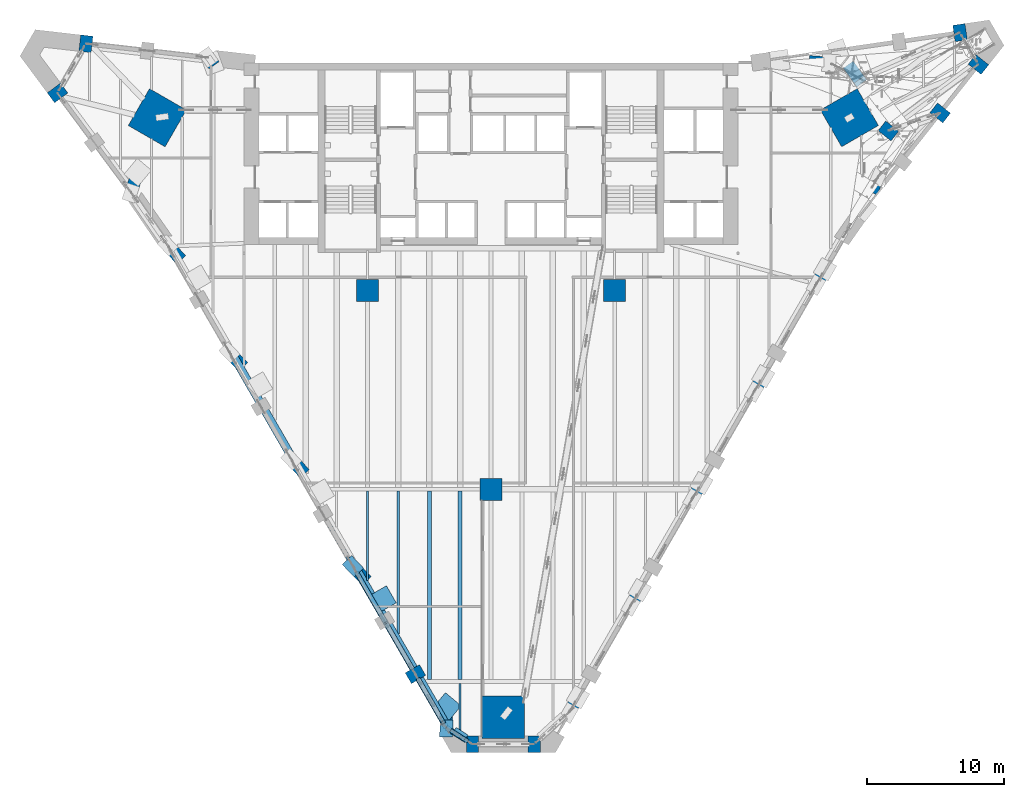
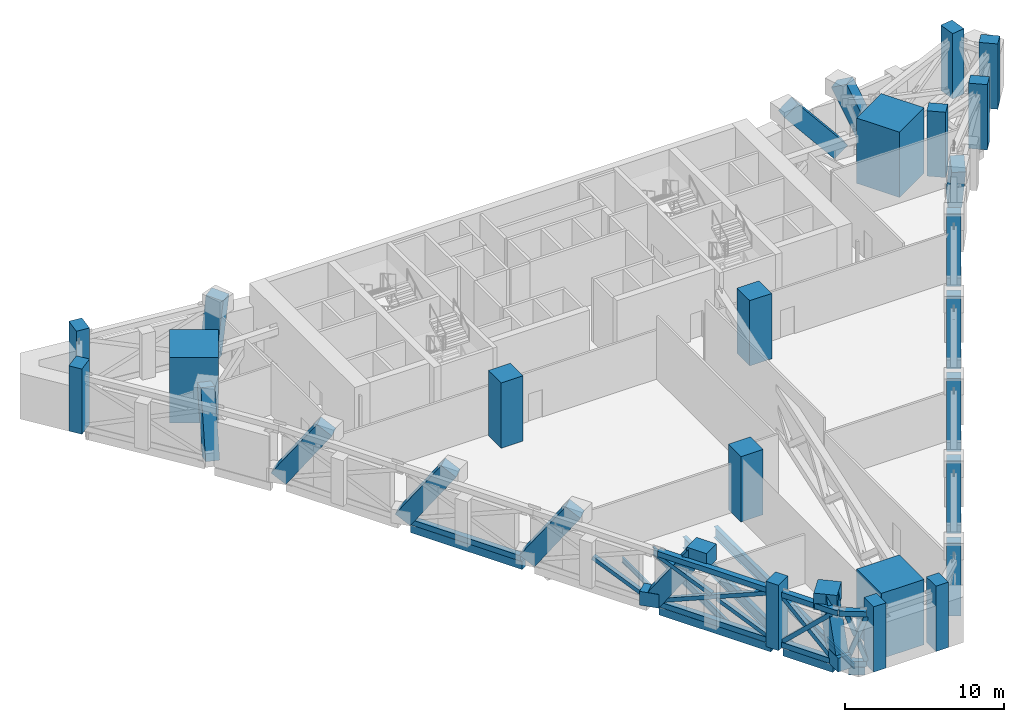
# One storey, part 1 of 22: 30 columns, 17 members, 13 beams.
"""IFC4 building model written with IfcOpenShell, lengths in metres."""

import ifcopenshell
import ifcopenshell.guid

model = None  # the IFC model being written
_history = None  # IfcOwnerHistory: only IFC2X3 demands one
_inside = {}  # id of a spatial element -> (the spatial element, [elements in it])
_under = {}  # id of a project, library or spatial element -> (it, [spatial elements below it])
_declared = {}  # id of a project -> (the project, [libraries it declares])
_typed = {}  # id of a type object -> (the type object, [elements of that type])
_made_of = {}  # id of a material, layer set ... -> (it, [elements and type objects made of it])


def new_model(schema):
    """Start an empty IFC model of exactly this schema.

    Asked for "IFC4X3", IfcOpenShell would pick the latest addendum, in which some entities
    have other attributes; the version numbers below select the first issue.
    IFC2X3 requires an IfcOwnerHistory on every rooted entity: one is made here for all.
    """
    global model, _history
    if schema == "IFC4X3":
        model = ifcopenshell.file(schema_version=(4, 3, 0, 0))
    else:
        model = ifcopenshell.file(schema=schema)
    _inside.clear()
    _under.clear()
    _declared.clear()
    _typed.clear()
    _made_of.clear()
    _history = None
    if model.schema == "IFC2X3":
        org = make("IfcOrganization", Name="unknown")
        user = make(
            "IfcPersonAndOrganization",
            ThePerson=make("IfcPerson", FamilyName="unknown"),
            TheOrganization=org,
        )
        app = make(
            "IfcApplication",
            ApplicationDeveloper=org,
            Version="unknown",
            ApplicationFullName="unknown",
            ApplicationIdentifier="unknown",
        )
        _history = make(
            "IfcOwnerHistory",
            OwningUser=user,
            OwningApplication=app,
            ChangeAction="ADDED",
            CreationDate=0,
        )
    return model


def make(cls, **values):
    """One entity of the class cls with the attributes given. An attribute that is None is left unset."""
    return model.create_entity(
        cls, **{name: value for name, value in values.items() if value is not None}
    )


def rooted(cls, **values):
    """An entity with a GlobalId (a new one), such as an element, a storey or a relation."""
    return make(cls, GlobalId=ifcopenshell.guid.new(), OwnerHistory=_history, **values)


def si_unit(unit_type, name, prefix=None):
    """IfcSIUnit, for example si_unit("LENGTHUNIT", "METRE", prefix="MILLI")."""
    return make("IfcSIUnit", UnitType=unit_type, Prefix=prefix, Name=name)


def assignment(units):
    """IfcUnitAssignment: the units of a project."""
    return None if units is None else make("IfcUnitAssignment", Units=units)


def point(xyz):
    """IfcCartesianPoint."""
    return None if xyz is None else make("IfcCartesianPoint", Coordinates=xyz)


def direction(xyz):
    """IfcDirection."""
    return None if xyz is None else make("IfcDirection", DirectionRatios=xyz)


def frame(location, z_axis=None, x_axis=None):
    """IfcAxis2Placement3D, a coordinate frame: its origin and axes. An axis left out is left unset."""
    return make(
        "IfcAxis2Placement3D",
        Location=point(location),
        Axis=direction(z_axis),
        RefDirection=direction(x_axis),
    )


def frame_2d(location, x_axis=None):
    """IfcAxis2Placement2D, a coordinate frame in the plane: its origin and x axis."""
    return make(
        "IfcAxis2Placement2D", Location=point(location), RefDirection=direction(x_axis)
    )


def origin():
    """The frame at (0, 0, 0) with its axes left unset."""
    return frame((0.0, 0.0, 0.0))


def origin_2d():
    """The frame at (0, 0) in the plane with its x axis left unset."""
    return frame_2d((0.0, 0.0))


def place(relative_to, where):
    """IfcLocalPlacement: puts the frame where relative to a parent placement (None: the world)."""
    return make(
        "IfcLocalPlacement", PlacementRelTo=relative_to, RelativePlacement=where
    )


def context(
    kind, dimensions, precision=None, world=None, true_north=None, identifier=None
):
    """IfcGeometricRepresentationContext, for example the 3D "Model" context."""
    return make(
        "IfcGeometricRepresentationContext",
        ContextIdentifier=identifier,
        ContextType=kind,
        CoordinateSpaceDimension=dimensions,
        Precision=precision,
        WorldCoordinateSystem=world,
        TrueNorth=true_north,
    )


def subcontext(parent, identifier, kind, view, scale=None):
    """IfcGeometricRepresentationSubContext, for example "Body" below "Model"."""
    return make(
        "IfcGeometricRepresentationSubContext",
        ContextIdentifier=identifier,
        ContextType=kind,
        ParentContext=parent,
        TargetScale=scale,
        TargetView=view,
    )


def project(units=None, contexts=None):
    """IfcProject with its units and contexts."""
    return rooted(
        "IfcProject",
        Name="project",
        RepresentationContexts=contexts,
        UnitsInContext=assignment(units),
    )


def spatial(cls, under=None, at=None, **own):
    """A site, building, storey or space (cls), placed at a placement, below another one or the project."""
    s = rooted(cls, ObjectPlacement=at, **own)
    if under is not None:
        _under.setdefault(under.id(), (under, []))[1].append(s)
    return s


def profile(cls, at=None, kind="AREA", **sizes):
    """A parametric profile (cls). Its sizes go by their IFC names, for example OverallWidth=200.0."""
    return make(cls, ProfileType=kind, Position=at, **sizes)


def rectangle(**sizes):
    """IfcRectangleProfileDef."""
    return profile("IfcRectangleProfileDef", **sizes)


def hollow_rectangle(**sizes):
    """IfcRectangleHollowProfileDef."""
    return profile("IfcRectangleHollowProfileDef", **sizes)


def i_section(**sizes):
    """IfcIShapeProfileDef."""
    return profile("IfcIShapeProfileDef", **sizes)


def extrude(swept, where, along, depth):
    """IfcExtrudedAreaSolid: the profile swept, set in the frame where, extruded along a direction by depth."""
    return make(
        "IfcExtrudedAreaSolid",
        SweptArea=swept,
        Position=where,
        ExtrudedDirection=direction(along),
        Depth=depth,
    )


def clip(a, b, op="DIFFERENCE"):
    """IfcBooleanClippingResult: the solid a cut by the half space b."""
    return make(
        "IfcBooleanClippingResult", Operator=op, FirstOperand=a, SecondOperand=b
    )


def halfspace(plane, agree):
    """IfcHalfSpaceSolid: all space on one side of the plane z = 0 of the frame plane."""
    return make(
        "IfcHalfSpaceSolid",
        BaseSurface=make("IfcPlane", Position=plane),
        AgreementFlag=agree,
    )


def shape(context_of_items, identifier, shape_type, items):
    """IfcShapeRepresentation: the items that make up one representation, for example the "Body"."""
    return make(
        "IfcShapeRepresentation",
        ContextOfItems=context_of_items,
        RepresentationIdentifier=identifier,
        RepresentationType=shape_type,
        Items=items,
    )


def material(Name=None, Category=None):
    """IfcMaterial."""
    return make("IfcMaterial", Name=Name, Category=Category)


def material_profile(
    of_material, cross_section, Name=None, Category=None, Priority=None
):
    """IfcMaterialProfile: a cross section and its material."""
    return make(
        "IfcMaterialProfile",
        Name=Name,
        Material=of_material,
        Profile=cross_section,
        Priority=Priority,
        Category=Category,
    )


def profile_set(profiles, Name=None, composite=None):
    """IfcMaterialProfileSet."""
    return make(
        "IfcMaterialProfileSet",
        Name=Name,
        MaterialProfiles=profiles,
        CompositeProfile=composite,
    )


def made_of(thing, what):
    """Note that an element or type object is made of a material, layer set ...; save() writes the relation."""
    if what is not None:
        _made_of.setdefault(what.id(), (what, []))[1].append(thing)
    return thing


def type_object(cls, material=None, **own):
    """A type object (cls), such as IfcWallType, which elements share."""
    return made_of(rooted(cls, **own), material)


def element(
    cls,
    number,
    at=None,
    inside=None,
    cuts=None,
    type_object=None,
    material=None,
    context=None,
    identifier="Body",
    shape_type=None,
    held_by="IfcProductDefinitionShape",
    body=None,
    shapes=None,
    **own,
):
    """One element of the class cls, such as IfcWall. Its Tag is "e" and its number.

    at: its placement. inside: the storey or other place that contains it. cuts: it is an
    opening in that element (IfcRelVoidsElement). A single representation is given by context,
    identifier, shape_type and body (its items); several are given by shapes. held_by: the class
    of the entity that holds the representations. save() writes the other relations.
    """
    e = rooted(cls, Tag="e%d" % number, ObjectPlacement=at, **own)
    if body is not None:
        shapes = [shape(context, identifier, shape_type, body)]
    if shapes is not None:
        e.Representation = make(held_by, Representations=shapes)
    if inside is not None:
        _inside.setdefault(inside.id(), (inside, []))[1].append(e)
    if cuts is not None:
        rooted(
            "IfcRelVoidsElement", RelatingBuildingElement=cuts, RelatedOpeningElement=e
        )
    if type_object is not None:
        _typed.setdefault(type_object.id(), (type_object, []))[1].append(e)
    return made_of(e, material)


def aggregate(whole, parts):
    """IfcRelAggregates: a whole, such as a stair, and the parts it consists of."""
    return rooted("IfcRelAggregates", RelatingObject=whole, RelatedObjects=parts)


def save(model, path):
    """Write the relations noted so far, then the file.

    IfcRelAggregates (storeys below a building ...), IfcRelContainedInSpatialStructure (elements
    in a storey), IfcRelDefinesByType, IfcRelAssociatesMaterial and IfcRelDeclares: one each for
    every whole, place, type object, material and project.
    """
    for whole, parts in _under.values():
        aggregate(whole, parts)
    for where, things in _inside.values():
        rooted(
            "IfcRelContainedInSpatialStructure",
            RelatedElements=things,
            RelatingStructure=where,
        )
    for kind, things in _typed.values():
        rooted("IfcRelDefinesByType", RelatedObjects=things, RelatingType=kind)
    for what, things in _made_of.values():
        rooted("IfcRelAssociatesMaterial", RelatedObjects=things, RelatingMaterial=what)
    for by, libraries in _declared.values():
        rooted("IfcRelDeclares", RelatingContext=by, RelatedDefinitions=libraries)
    model.write(path)


model = new_model("IFC4")

# Units and contexts
model_context = context("Model", 3, precision=1e-05, world=origin(), true_north=direction((0.0, 1.0)))
body_context = subcontext(model_context, "Body", "Model", "MODEL_VIEW")
ifc_project = project(units=[si_unit("LENGTHUNIT", "METRE"), si_unit("AREAUNIT", "SQUARE_METRE"), si_unit("VOLUMEUNIT", "CUBIC_METRE"), si_unit("PLANEANGLEUNIT", "RADIAN"), si_unit("MASSUNIT", "GRAM", prefix="KILO")], contexts=[model_context])

# Site, building, storey
site_placement = place(None, origin())
site = spatial("IfcSite", under=ifc_project, at=site_placement, CompositionType="ELEMENT")
building_placement = place(site_placement, origin())
building = spatial("IfcBuilding", under=site, at=building_placement, Name="Calabash Gate Tower", CompositionType="ELEMENT")
storey_placement = place(building_placement, frame((0.0, 0.0, 86.800048828125)))
storey = spatial("IfcBuildingStorey", under=building, at=storey_placement, Name="L18", CompositionType="ELEMENT", Elevation=86.800048828125)

# Columns
ifc_material_1 = material(Name="Concrete C80/95", Category="concrete")
ifc_material_profile_1 = material_profile(ifc_material_1, rectangle(XDim=1.60009765625, YDim=1.60009765625, at=origin_2d()))
ifc_profile_set_1 = profile_set([ifc_material_profile_1], Name="Concrete C80/95")
column_type_1 = type_object("IfcColumnType", Name="Interior column RC 1600x1600 Concrete C80/95", PredefinedType="COLUMN", material=ifc_profile_set_1)
for number, where, z_axis, x_axis, name in (
    (1, (-9.0, 2.5, 0.0), (0.0, 0.0, 1.0), (1.0, 0.0, 0.0), "Interior column L18 I0"),
    (2, (9.0, 2.5, 0.0), (0.0, 0.0, 1.0), (1.0, 0.0, 0.0), "Interior column L18 I1"),
    (3, (0.0, -12.0, 0.0), (0.0, 0.0, 1.0), (1.0, 0.0, 0.0), "Interior column L18 I2"),
):
    element("IfcColumn", number, at=place(storey_placement, frame(where, z_axis=z_axis, x_axis=x_axis)), inside=storey, type_object=column_type_1, Name=name, PredefinedType="COLUMN", context=body_context, shape_type="SweptSolid", body=[
        extrude(rectangle(XDim=1.60009765625, YDim=1.60009765625, at=origin_2d()), origin(), (0.0, 0.0, 1.0), 5.0),
    ])
ifc_material_2 = material(Name="Concrete C80/95", Category="concrete")
ifc_material_profile_2 = material_profile(ifc_material_2, rectangle(XDim=3.10009765625, YDim=3.10009765625, at=origin_2d()))
ifc_profile_set_2 = profile_set([ifc_material_profile_2], Name="Concrete C80/95")
column_type_2 = type_object("IfcColumnType", Name="Mega column RC 3100x3100 Concrete C80/95", PredefinedType="COLUMN", material=ifc_profile_set_2)
for number, where, z_axis, x_axis, name in (
    (4, (-24.31689453125, 15.072998046875, 0.0), (0.0, 0.0, 1.0), (0.866025412511, -0.499999984885, 0.0), "Mega column L18 NW"),
    (5, (26.10693359375, 15.072998046875, 0.0), (0.0, 0.0, 1.0), (-0.866025447418, -0.499999924425, 0.0), "Mega column L18 NE"),
    (6, (0.89697265625, -28.595947265625, 0.0), (0.0, 0.0, 1.0), (0.0, 1.0, 0.0), "Mega column L18 S"),
):
    element("IfcColumn", number, at=place(storey_placement, frame(where, z_axis=z_axis, x_axis=x_axis)), inside=storey, type_object=column_type_2, Name=name, PredefinedType="COLUMN", context=body_context, shape_type="SweptSolid", body=[
        extrude(rectangle(XDim=3.10009765625, YDim=3.10009765625, at=origin_2d()), origin(), (0.0, 0.0, 1.0), 5.0),
    ])
ifc_material_3 = material(Name="Concrete C70/85", Category="concrete")
ifc_material_profile_3 = material_profile(ifc_material_3, rectangle(XDim=0.89990234375, YDim=1.199951171875, at=origin_2d()))
ifc_profile_set_3 = profile_set([ifc_material_profile_3], Name="Concrete C70/85")
column_type_3 = type_object("IfcColumnType", Name="Perimeter column RC 900x1200 Concrete C70/85", PredefinedType="COLUMN", material=ifc_profile_set_3)
for number, where, z_axis, x_axis, name in (
    (7, (-5.509033203125, -25.462890625, 0.0), (0.0, 0.0, 1.0), (0.5, -0.866025403784, 0.0), "Perimeter column L18 P04"),
    (8, (-1.35302734375, -30.573974609375, 0.0), (0.0, 0.0, 1.0), (1.0, 0.0, 0.0), "Perimeter column L18 P06"),
    (9, (3.14697265625, -30.573974609375, 0.0), (0.0, 0.0, 1.0), (1.0, 0.0, 0.0), "Perimeter column L18 P07"),
    (10, (28.947021484375, 14.113037109375, 0.0), (0.0, 0.0, 1.0), (0.620301172202, 0.784363726701, 0.0), "Perimeter column L18 P14"),
    (11, (-29.51904296875, 20.4619140625, 0.0), (0.0, 0.0, 1.0), (-0.993506319736, 0.113776942504, 0.0), "Perimeter column L18 P18"),
    (12, (-31.5830078125, 16.883056640625, 0.0), (0.0, 0.0, 1.0), (0.595286896465, -0.80351323007, 0.0), "Perimeter column L18 P19"),
    (13, (32.718994140625, 15.424072265625, 0.0), (0.0, 0.0, 1.0), (0.620301172202, 0.784363726701, 0.0), "Perimeter column L18 P21"),
    (14, (35.510009765625, 18.9541015625, 0.0), (0.0, 0.0, 1.0), (0.620301172202, 0.784363726701, 0.0), "Perimeter column L18 P22"),
    (15, (34.169921875, 21.27587890625, 0.0), (0.0, 0.0, 1.0), (-0.989429504293, -0.145014675236, 0.0), "Perimeter column L18 P23"),
):
    element("IfcColumn", number, at=place(storey_placement, frame(where, z_axis=z_axis, x_axis=x_axis)), inside=storey, type_object=column_type_3, Name=name, PredefinedType="COLUMN", context=body_context, shape_type="SweptSolid", body=[
        extrude(rectangle(XDim=0.89990234375, YDim=1.199951171875, at=origin_2d()), origin(), (0.0, 0.0, 1.0), 5.0),
    ])
ifc_material_4 = material(Name="Concrete C70/85", Category="concrete")
ifc_material_profile_4 = material_profile(ifc_material_4, rectangle(XDim=0.89990234375, YDim=1.199951171875, at=origin_2d()))
ifc_profile_set_4 = profile_set([ifc_material_profile_4], Name="Concrete C70/85")
column_type_4 = type_object("IfcColumnType", Name="Raking transfer column RC 900x1200 Concrete C70/85", PredefinedType="COLUMN", material=ifc_profile_set_4)
column_1_placement = place(storey_placement, frame((-23.64697265625, 5.85888671875, 0.0), z_axis=(0.394481265689, -0.415135992538, 0.81978450749), x_axis=(0.724910424913, 0.688843143141, 0.0)))
element("IfcColumn", 16, at=column_1_placement, inside=storey, type_object=column_type_4, Name="Raking transfer column L18 TP00", PredefinedType="COLUMN", context=body_context, shape_type="Clipping", body=[
    clip(clip(extrude(rectangle(XDim=0.89990234375, YDim=1.199951171875, at=origin_2d()), origin(), (0.0, 0.0, 1.0), 6.09912109375), halfspace(frame((0.0, 0.0, 0.424072265625), z_axis=(0.0, 0.0, 1.0), x_axis=(1.0, 0.0, 0.0)), True)), halfspace(frame((0.0, 0.0, 5.675048828125), z_axis=(0.0, 0.0, 1.0), x_axis=(1.0, 0.0, 0.0)), False)),
])
column_2_placement = place(storey_placement, frame((-19.14697265625, -1.93310546875, 0.0), z_axis=(0.394376343319, -0.415665862816, 0.819566464858), x_axis=(0.72544044992, 0.688284936359, 0.0)))
element("IfcColumn", 17, at=column_2_placement, inside=storey, type_object=column_type_4, Name="Raking transfer column L18 TP01", PredefinedType="COLUMN", context=body_context, shape_type="Clipping", body=[
    clip(clip(extrude(rectangle(XDim=0.89990234375, YDim=1.199951171875, at=origin_2d()), origin(), (0.0, 0.0, 1.0), 6.100830078125), halfspace(frame((0.0, 0.0, 0.424072265625), z_axis=(0.0, 0.0, 1.0), x_axis=(1.0, 0.0, 0.0)), True)), halfspace(frame((0.0, 0.0, 5.6767578125), z_axis=(0.0, 0.0, 1.0), x_axis=(1.0, 0.0, 0.0)), False)),
])
column_3_placement = place(storey_placement, frame((-14.64697265625, -9.72900390625, 0.0), z_axis=(0.394428814256, -0.415400980534, 0.819675506439), x_axis=(0.725175598547, 0.688563977617, 0.0)))
element("IfcColumn", 18, at=column_3_placement, inside=storey, type_object=column_type_4, Name="Raking transfer column L18 TP02", PredefinedType="COLUMN", context=body_context, shape_type="Clipping", body=[
    clip(clip(extrude(rectangle(XDim=0.89990234375, YDim=1.199951171875, at=origin_2d()), origin(), (0.0, 0.0, 1.0), 6.099853515625), halfspace(frame((0.0, 0.0, 0.424072265625), z_axis=(0.0, 0.0, 1.0), x_axis=(1.0, 0.0, 0.0)), True)), halfspace(frame((0.0, 0.0, 5.676025390625), z_axis=(0.0, 0.0, 1.0), x_axis=(1.0, 0.0, 0.0)), False)),
])
column_4_placement = place(storey_placement, frame((-10.14697265625, -17.52392578125, 0.0), z_axis=(0.394422256455, -0.415434096601, 0.819661878457), x_axis=(0.725208722584, 0.688529090662, 0.0)))
element("IfcColumn", 19, at=column_4_placement, inside=storey, type_object=column_type_4, Name="Raking transfer column L18 TP03", PredefinedType="COLUMN", context=body_context, shape_type="Clipping", body=[
    clip(clip(extrude(rectangle(XDim=0.89990234375, YDim=1.199951171875, at=origin_2d()), origin(), (0.0, 0.0, 1.0), 6.10009765625), halfspace(frame((0.0, 0.0, 0.424072265625), z_axis=(0.0, 0.0, 1.0), x_axis=(1.0, 0.0, 0.0)), True)), halfspace(frame((0.0, 0.0, 5.676025390625), z_axis=(0.0, 0.0, 1.0), x_axis=(1.0, 0.0, 0.0)), False)),
])
column_5_placement = place(storey_placement, frame((-3.260009765625, -29.4599609375, 0.0), z_axis=(0.003625704065, 0.306139576566, 0.951979733991), x_axis=(-0.999929875452, 0.011842473472, 0.0)))
element("IfcColumn", 20, at=column_5_placement, inside=storey, type_object=column_type_4, Name="Raking transfer column L18 TP05", PredefinedType="COLUMN", context=body_context, shape_type="Clipping", body=[
    clip(clip(extrude(rectangle(XDim=0.89990234375, YDim=1.199951171875, at=origin_2d()), origin(), (0.0, 0.0, 1.0), 5.252197265625), halfspace(frame((0.0, 0.0, 0.197021484375), z_axis=(0.0, 0.0, 1.0), x_axis=(1.0, 0.0, 0.0)), True)), halfspace(frame((0.0, 0.0, 5.05517578125), z_axis=(0.0, 0.0, 1.0), x_axis=(1.0, 0.0, 0.0)), False)),
])
column_6_placement = place(storey_placement, frame((5.656982421875, -28.305908203125, 0.0), z_axis=(0.133016898304, 0.230355520277, 0.963972426495), x_axis=(-0.865991092016, 0.500059425018, 0.0)))
element("IfcColumn", 21, at=column_6_placement, inside=storey, type_object=column_type_4, Name="Raking transfer column L18 TP08", PredefinedType="COLUMN", context=body_context, shape_type="Clipping", body=[
    clip(clip(extrude(rectangle(XDim=0.89990234375, YDim=1.199951171875, at=origin_2d()), origin(), (0.0, 0.0, 1.0), 5.186767578125), halfspace(frame((0.0, 0.0, 0.169921875), z_axis=(0.0, 0.0, 1.0), x_axis=(1.0, 0.0, 0.0)), True)), halfspace(frame((0.0, 0.0, 5.016845703125), z_axis=(0.0, 0.0, 1.0), x_axis=(1.0, 0.0, 0.0)), False)),
])
for number, where, z_axis, x_axis, name in (
    (22, (10.156982421875, -20.511962890625, 0.0), (0.133015455932, 0.230400090866, 0.963961973634), (-0.86603532975, 0.499982807329, 0.0), "Raking transfer column L18 TP09"),
    (23, (14.656982421875, -12.718017578125, 0.0), (0.133015455932, 0.230400090866, 0.963961973634), (-0.86603532975, 0.499982807329, 0.0), "Raking transfer column L18 TP10"),
    (24, (19.156982421875, -4.923095703125, 0.0), (0.133015455932, 0.230400090866, 0.963961973634), (-0.86603532975, 0.499982807329, 0.0), "Raking transfer column L18 TP11"),
):
    element("IfcColumn", number, at=place(storey_placement, frame(where, z_axis=z_axis, x_axis=x_axis)), inside=storey, type_object=column_type_4, Name=name, PredefinedType="COLUMN", context=body_context, shape_type="Clipping", body=[
        clip(clip(extrude(rectangle(XDim=0.89990234375, YDim=1.199951171875, at=origin_2d()), origin(), (0.0, 0.0, 1.0), 5.18701171875), halfspace(frame((0.0, 0.0, 0.169921875), z_axis=(0.0, 0.0, 1.0), x_axis=(1.0, 0.0, 0.0)), True)), halfspace(frame((0.0, 0.0, 5.016845703125), z_axis=(0.0, 0.0, 1.0), x_axis=(1.0, 0.0, 0.0)), False)),
    ])
column_7_placement = place(storey_placement, frame((23.656982421875, 2.87109375, 0.0), z_axis=(0.133016898304, 0.230355520277, 0.963972426495), x_axis=(-0.865991092016, 0.500059425018, 0.0)))
element("IfcColumn", 25, at=column_7_placement, inside=storey, type_object=column_type_4, Name="Raking transfer column L18 TP12", PredefinedType="COLUMN", context=body_context, shape_type="Clipping", body=[
    clip(clip(extrude(rectangle(XDim=0.89990234375, YDim=1.199951171875, at=origin_2d()), origin(), (0.0, 0.0, 1.0), 5.186767578125), halfspace(frame((0.0, 0.0, 0.169921875), z_axis=(0.0, 0.0, 1.0), x_axis=(1.0, 0.0, 0.0)), True)), halfspace(frame((0.0, 0.0, 5.016845703125), z_axis=(0.0, 0.0, 1.0), x_axis=(1.0, 0.0, 0.0)), False)),
])
column_8_placement = place(storey_placement, frame((28.257080078125, 10.862060546875, 0.0), z_axis=(-0.196705937317, -0.437790653176, 0.877294772705), x_axis=(0.912155156516, -0.409845056626, 0.0)))
element("IfcColumn", 26, at=column_8_placement, inside=storey, type_object=column_type_4, Name="Raking transfer column L18 TP13", PredefinedType="COLUMN", context=body_context, shape_type="Clipping", body=[
    clip(clip(extrude(rectangle(XDim=0.89990234375, YDim=1.199951171875, at=origin_2d()), origin(), (0.0, 0.0, 1.0), 5.69921875), halfspace(frame((0.0, 0.0, 0.3330078125), z_axis=(0.0, 0.0, 1.0), x_axis=(1.0, 0.0, 0.0)), True)), halfspace(frame((0.0, 0.0, 5.366455078125), z_axis=(0.0, 0.0, 1.0), x_axis=(1.0, 0.0, 0.0)), False)),
])
column_9_placement = place(storey_placement, frame((26.778076171875, 17.89794921875, 0.0), z_axis=(-0.268875801151, 0.368884218384, 0.889736049052), x_axis=(-0.808114178728, -0.58902586882, 0.0)))
element("IfcColumn", 27, at=column_9_placement, inside=storey, type_object=column_type_4, Name="Raking transfer column L18 TP16", PredefinedType="COLUMN", context=body_context, shape_type="Clipping", body=[
    clip(clip(extrude(rectangle(XDim=0.89990234375, YDim=1.199951171875, at=origin_2d()), origin(), (0.0, 0.0, 1.0), 5.61962890625), halfspace(frame((0.0, 0.0, 0.31201171875), z_axis=(0.0, 0.0, 1.0), x_axis=(1.0, 0.0, 0.0)), True)), halfspace(frame((0.0, 0.0, 5.3076171875), z_axis=(0.0, 0.0, 1.0), x_axis=(1.0, 0.0, 0.0)), False)),
])
column_10_placement = place(storey_placement, frame((-20.612060546875, 19.487060546875, 0.0), z_axis=(0.061468302485, -0.086327521183, 0.994368747938), x_axis=(0.814599345858, 0.580024056162, 0.0)))
element("IfcColumn", 28, at=column_10_placement, inside=storey, type_object=column_type_4, Name="Raking transfer column L18 TP17", PredefinedType="COLUMN", context=body_context, shape_type="Clipping", body=[
    clip(clip(extrude(rectangle(XDim=0.89990234375, YDim=1.199951171875, at=origin_2d()), origin(), (0.0, 0.0, 1.0), 5.0283203125), halfspace(frame((0.0, 0.0, 0.068115234375), z_axis=(0.0, 0.0, 1.0), x_axis=(1.0, 0.0, 0.0)), True)), halfspace(frame((0.0, 0.0, 4.960205078125), z_axis=(0.0, 0.0, 1.0), x_axis=(1.0, 0.0, 0.0)), False)),
])
column_11_placement = place(storey_placement, frame((-26.259033203125, 9.555908203125, 0.0), z_axis=(0.098413977447, 0.296911537989, 0.949820102784), x_axis=(-0.949215713653, 0.314626014428, 0.0)))
element("IfcColumn", 29, at=column_11_placement, inside=storey, type_object=column_type_4, Name="Raking transfer column L18 TP20", PredefinedType="COLUMN", context=body_context, shape_type="Clipping", body=[
    clip(clip(extrude(rectangle(XDim=0.89990234375, YDim=1.199951171875, at=origin_2d()), origin(), (0.0, 0.0, 1.0), 5.26416015625), halfspace(frame((0.0, 0.0, 0.201904296875), z_axis=(0.0, 0.0, 1.0), x_axis=(1.0, 0.0, 0.0)), True)), halfspace(frame((0.0, 0.0, 5.062255859375), z_axis=(0.0, 0.0, 1.0), x_axis=(1.0, 0.0, 0.0)), False)),
])
column_12_placement = place(storey_placement, frame((24.930908203125, 19.035888671875, 0.0), z_axis=(-0.635219622269, 0.043525213878, 0.771104135147), x_axis=(-0.068359659666, -0.997660742402, 0.0)))
element("IfcColumn", 30, at=column_12_placement, inside=storey, type_object=column_type_4, Name="Raking transfer column L18 TP24", PredefinedType="COLUMN", context=body_context, shape_type="Clipping", body=[
    clip(clip(extrude(rectangle(XDim=0.89990234375, YDim=1.199951171875, at=origin_2d()), origin(), (0.0, 0.0, 1.0), 6.484130859375), halfspace(frame((0.0, 0.0, 0.5009765625), z_axis=(0.0, 0.0, 1.0), x_axis=(1.0, 0.0, 0.0)), True)), halfspace(frame((0.0, 0.0, 5.983154296875), z_axis=(0.0, 0.0, 1.0), x_axis=(1.0, 0.0, 0.0)), False)),
])

# Members
ifc_material_5 = material(Name="Steel ASTM A500 Gr C", Category="steel")
ifc_material_profile_5 = material_profile(ifc_material_5, hollow_rectangle(XDim=0.406494140625, YDim=0.406494140625, WallThickness=0.015869140625, at=origin_2d()))
ifc_profile_set_5 = profile_set([ifc_material_profile_5], Name="Steel ASTM A500 Gr C")
member_type_1 = type_object("IfcMemberType", Name="Belt truss chord HSS16X16X.625 ASTM A500 Gr C", PredefinedType="CHORD", material=ifc_profile_set_5)
member_1_placement = place(storey_placement, frame((-18.7841796875, -2.4697265625, 0.203125), z_axis=(0.499999880539, -0.866025472755, 0.0), x_axis=(0.866025472755, 0.499999880539, 0.0)))
element("IfcMember", 31, at=member_1_placement, inside=storey, type_object=member_type_1, Name="Belt chord L18 1", PredefinedType="CHORD", context=body_context, shape_type="SweptSolid", body=[
    extrude(hollow_rectangle(XDim=0.406494140625, YDim=0.406494140625, WallThickness=0.015869140625, at=origin_2d()), origin(), (0.0, 0.0, 1.0), 8.10009765625),
])
for number, where, z_axis, x_axis, name in (
    (32, (-9.7841796875, -18.058349609375, 0.203125), (0.500012932018, -0.866017937352, 0.0), (0.866017937352, 0.500012932018, 0.0), "Belt chord L18 11"),
    (33, (-9.7841796875, -18.058349609375, 4.02685546875), (0.500012932018, -0.866017937352, 0.0), (0.866017937352, 0.500012932018, 0.0), "Belt chord L18 12"),
):
    element("IfcMember", number, at=place(storey_placement, frame(where, z_axis=z_axis, x_axis=x_axis)), inside=storey, type_object=member_type_1, Name=name, PredefinedType="CHORD", context=body_context, shape_type="SweptSolid", body=[
        extrude(hollow_rectangle(XDim=0.406494140625, YDim=0.406494140625, WallThickness=0.015869140625, at=origin_2d()), origin(), (0.0, 0.0, 1.0), 8.099853515625),
    ])
member_2_placement = place(storey_placement, frame((-5.2841796875, -25.8525390625, 0.203125), z_axis=(0.500012057535, -0.866018442252, 0.0), x_axis=(0.866018442252, 0.500012057535, 0.0)))
element("IfcMember", 34, at=member_2_placement, inside=storey, type_object=member_type_1, Name="Belt chord L18 16", PredefinedType="CHORD", context=body_context, shape_type="SweptSolid", body=[
    extrude(hollow_rectangle(XDim=0.406494140625, YDim=0.406494140625, WallThickness=0.015869140625, at=origin_2d()), origin(), (0.0, 0.0, 1.0), 3.60009765625),
])
member_3_placement = place(storey_placement, frame((-5.2841796875, -25.8525390625, 4.02685546875), z_axis=(0.499953532967, -0.866052229876, 0.0), x_axis=(0.866052229876, 0.499953532967, 0.0)))
element("IfcMember", 35, at=member_3_placement, inside=storey, type_object=member_type_1, Name="Belt chord L18 17", PredefinedType="CHORD", context=body_context, shape_type="SweptSolid", body=[
    extrude(hollow_rectangle(XDim=0.406494140625, YDim=0.406494140625, WallThickness=0.015869140625, at=origin_2d()), origin(), (0.0, 0.0, 1.0), 4.0546875),
])
member_4_placement = place(storey_placement, frame((-2.83154296875, -29.632568359375, 0.203125), z_axis=(0.843198792625, -0.537601893705, 0.0), x_axis=(0.537601893705, 0.843198792625, 0.0)))
element("IfcMember", 36, at=member_4_placement, inside=storey, type_object=member_type_1, Name="Belt chord L18 21", PredefinedType="CHORD", context=body_context, shape_type="SweptSolid", body=[
    extrude(hollow_rectangle(XDim=0.406494140625, YDim=0.406494140625, WallThickness=0.015869140625, at=origin_2d()), origin(), (0.0, 0.0, 1.0), 1.217529296875),
])
member_5_placement = place(storey_placement, frame((-3.263916015625, -29.35693359375, 4.02685546875), z_axis=(0.843208010179, -0.537587436209, 0.0), x_axis=(0.537587436209, 0.843208010179, 0.0)))
element("IfcMember", 37, at=member_5_placement, inside=storey, type_object=member_type_1, Name="Belt chord L18 22", PredefinedType="CHORD", context=body_context, shape_type="SweptSolid", body=[
    extrude(hollow_rectangle(XDim=0.406494140625, YDim=0.406494140625, WallThickness=0.015869140625, at=origin_2d()), origin(), (0.0, 0.0, 1.0), 1.730224609375),
])
ifc_material_6 = material(Name="Steel ASTM A500 Gr C", Category="steel")
ifc_material_profile_6 = material_profile(ifc_material_6, hollow_rectangle(XDim=0.3046875, YDim=0.3046875, WallThickness=0.0126953125, at=origin_2d()))
ifc_profile_set_6 = profile_set([ifc_material_profile_6], Name="Steel ASTM A500 Gr C")
member_type_2 = type_object("IfcMemberType", Name="Belt truss diagonal HSS12X12X.500 ASTM A500 Gr C", PredefinedType="BRACE", material=ifc_profile_set_6)
member_6_placement = place(storey_placement, frame((-12.1611328125, -13.941162109375, 2.0322265625), z_axis=(0.460680793484, -0.797918044814, -0.388715834866), x_axis=(0.866024183959, 0.500002112793, 0.0)))
element("IfcMember", 38, at=member_6_placement, inside=storey, type_object=member_type_2, Name="Belt diagonal (split) L18 10 half 2 of 2", PredefinedType="BRACE", context=body_context, shape_type="SweptSolid", body=[
    extrude(hollow_rectangle(XDim=0.3046875, YDim=0.3046875, WallThickness=0.0126953125, at=origin_2d()), origin(), (0.0, 0.0, 1.0), 4.182861328125),
])
member_7_placement = place(storey_placement, frame((-9.7841796875, -18.058349609375, 0.40625), z_axis=(0.460692039879, -0.797914502972, 0.38870977649), x_axis=(0.866017937352, 0.500012932018, 0.0)))
element("IfcMember", 39, at=member_7_placement, inside=storey, type_object=member_type_2, Name="Belt diagonal L18 13", PredefinedType="BRACE", context=body_context, shape_type="SweptSolid", body=[
    extrude(hollow_rectangle(XDim=0.3046875, YDim=0.3046875, WallThickness=0.0126953125, at=origin_2d()), origin(), (0.0, 0.0, 1.0), 8.791259765625),
])
for number, where, z_axis, x_axis, name in (
    (40, (-9.7841796875, -18.058349609375, 3.823486328125), (0.460691244837, -0.797936146986, -0.388666286503), (0.866024183959, 0.500002112793, 0.0), "Belt diagonal (split) L18 14 half 1 of 2"),
    (41, (-7.6611328125, -21.7353515625, 2.0322265625), (0.460680793484, -0.797918044814, -0.388715834866), (0.866024183959, 0.500002112793, 0.0), "Belt diagonal (split) L18 15 half 2 of 2"),
):
    element("IfcMember", number, at=place(storey_placement, frame(where, z_axis=z_axis, x_axis=x_axis)), inside=storey, type_object=member_type_2, Name=name, PredefinedType="BRACE", context=body_context, shape_type="SweptSolid", body=[
        extrude(hollow_rectangle(XDim=0.3046875, YDim=0.3046875, WallThickness=0.0126953125, at=origin_2d()), origin(), (0.0, 0.0, 1.0), 4.182861328125),
    ])
member_8_placement = place(storey_placement, frame((-5.2841796875, -25.8525390625, 0.40625), z_axis=(0.362647963496, -0.628104502081, 0.6884556551), x_axis=(0.866018442252, 0.500012057535, 0.0)))
element("IfcMember", 42, at=member_8_placement, inside=storey, type_object=member_type_2, Name="Belt diagonal L18 18", PredefinedType="BRACE", context=body_context, shape_type="SweptSolid", body=[
    extrude(hollow_rectangle(XDim=0.3046875, YDim=0.3046875, WallThickness=0.0126953125, at=origin_2d()), origin(), (0.0, 0.0, 1.0), 4.963623046875),
])
member_9_placement = place(storey_placement, frame((-5.2841796875, -25.8525390625, 3.823486328125), z_axis=(0.362678082401, -0.628082968135, -0.688459435032), x_axis=(0.865993035835, 0.500056058743, 0.0)))
element("IfcMember", 43, at=member_9_placement, inside=storey, type_object=member_type_2, Name="Belt diagonal (split) L18 19 half 1 of 2", PredefinedType="BRACE", context=body_context, shape_type="SweptSolid", body=[
    extrude(hollow_rectangle(XDim=0.3046875, YDim=0.3046875, WallThickness=0.0126953125, at=origin_2d()), origin(), (0.0, 0.0, 1.0), 2.3291015625),
])
member_10_placement = place(storey_placement, frame((-4.328857421875, -27.507080078125, 2.010009765625), z_axis=(0.362628039088, -0.628101109322, -0.688469245309), x_axis=(0.866029168372, 0.499993479487, 0.0)))
element("IfcMember", 44, at=member_10_placement, inside=storey, type_object=member_type_2, Name="Belt diagonal (split) L18 20 half 2 of 2", PredefinedType="BRACE", context=body_context, shape_type="SweptSolid", body=[
    extrude(hollow_rectangle(XDim=0.3046875, YDim=0.3046875, WallThickness=0.0126953125, at=origin_2d()), origin(), (0.0, 0.0, 1.0), 2.329345703125),
])
member_11_placement = place(storey_placement, frame((-2.83154296875, -29.632568359375, 0.40625), z_axis=(0.282996090585, -0.180431038967, 0.941996737198), x_axis=(0.537601893705, 0.843198792625, 0.0)))
element("IfcMember", 45, at=member_11_placement, inside=storey, type_object=member_type_2, Name="Belt diagonal L18 23", PredefinedType="BRACE", context=body_context, shape_type="SweptSolid", body=[
    extrude(hollow_rectangle(XDim=0.3046875, YDim=0.3046875, WallThickness=0.0126953125, at=origin_2d()), origin(), (0.0, 0.0, 1.0), 3.627685546875),
])
member_12_placement = place(storey_placement, frame((-2.83154296875, -29.632568359375, 3.823486328125), z_axis=(0.283004268795, -0.180389994701, -0.942002141004), x_axis=(0.53750389133, 0.843261268413, 0.0)))
element("IfcMember", 46, at=member_12_placement, inside=storey, type_object=member_type_2, Name="Belt diagonal (split) L18 24 half 1 of 2", PredefinedType="BRACE", context=body_context, shape_type="SweptSolid", body=[
    extrude(hollow_rectangle(XDim=0.3046875, YDim=0.3046875, WallThickness=0.0126953125, at=origin_2d()), origin(), (0.0, 0.0, 1.0), 1.57275390625),
])
member_13_placement = place(storey_placement, frame((-2.25, -30.003173828125, 1.887939453125), z_axis=(0.28295496385, -0.180513781107, -0.9419932395), x_axis=(0.537832695876, 0.843051594653, 0.0)))
element("IfcMember", 47, at=member_13_placement, inside=storey, type_object=member_type_2, Name="Belt diagonal (split) L18 25 half 2 of 2", PredefinedType="BRACE", context=body_context, shape_type="SweptSolid", body=[
    extrude(hollow_rectangle(XDim=0.3046875, YDim=0.3046875, WallThickness=0.0126953125, at=origin_2d()), origin(), (0.0, 0.0, 1.0), 1.572998046875),
])

# Beams
ifc_material_7 = material(Name="Concrete C60/75", Category="concrete")
ifc_material_profile_7 = material_profile(ifc_material_7, rectangle(XDim=0.39990234375, YDim=0.60009765625, at=origin_2d()))
ifc_profile_set_7 = profile_set([ifc_material_profile_7], Name="Concrete C60/75")
beam_type_1 = type_object("IfcBeamType", Name="Edge beam RC 400x600 Concrete C60/75", PredefinedType="BEAM", material=ifc_profile_set_7)
beam_1_placement = place(storey_placement, frame((-18.611083984375, -2.3701171875, -0.469970703125), z_axis=(0.500104308266, -0.865965173003, 0.0), x_axis=(0.865965173003, 0.500104308266, 0.0)))
element("IfcBeam", 48, at=beam_1_placement, inside=storey, type_object=beam_type_1, Name="Edge beam L18 1", PredefinedType="BEAM", context=body_context, shape_type="SweptSolid", body=[
    extrude(rectangle(XDim=0.39990234375, YDim=0.60009765625, at=origin_2d()), origin(), (0.0, 0.0, 1.0), 8.098388671875),
])
beam_2_placement = place(storey_placement, frame((-9.611083984375, -17.9580078125, -0.469970703125), z_axis=(0.499999880539, -0.866025472755, 0.0), x_axis=(0.866025472755, 0.499999880539, 0.0)))
element("IfcBeam", 49, at=beam_2_placement, inside=storey, type_object=beam_type_1, Name="Edge beam L18 3", PredefinedType="BEAM", context=body_context, shape_type="SweptSolid", body=[
    extrude(rectangle(XDim=0.39990234375, YDim=0.60009765625, at=origin_2d()), origin(), (0.0, 0.0, 1.0), 8.10009765625),
])
beam_3_placement = place(storey_placement, frame((-5.111083984375, -25.751953125, -0.469970703125), z_axis=(0.49995333141, -0.866052346231, 0.0), x_axis=(0.866052346231, 0.49995333141, 0.0)))
element("IfcBeam", 50, at=beam_3_placement, inside=storey, type_object=beam_type_1, Name="Edge beam L18 4", PredefinedType="BEAM", context=body_context, shape_type="SweptSolid", body=[
    extrude(rectangle(XDim=0.39990234375, YDim=0.60009765625, at=origin_2d()), origin(), (0.0, 0.0, 1.0), 3.600341796875),
])
beam_4_placement = place(storey_placement, frame((-2.64599609375, -29.512939453125, -0.469970703125), z_axis=(0.84289219569, -0.538082471787, 0.0), x_axis=(0.538082471787, 0.84289219569, 0.0)))
element("IfcBeam", 51, at=beam_4_placement, inside=storey, type_object=beam_type_1, Name="Edge beam L18 5", PredefinedType="BEAM", context=body_context, shape_type="SweptSolid", body=[
    extrude(rectangle(XDim=0.39990234375, YDim=0.60009765625, at=origin_2d()), origin(), (0.0, 0.0, 1.0), 1.0205078125),
])
ifc_material_8 = material(Name="Steel ASTM A992 Gr50", Category="steel")
ifc_material_profile_8 = material_profile(ifc_material_8, i_section(OverallWidth=0.1396484375, OverallDepth=0.398681640625, WebThickness=0.00634765625, FlangeThickness=0.0087890625, FilletRadius=0.01025390625, at=origin_2d()))
ifc_profile_set_8 = profile_set([ifc_material_profile_8], Name="Steel ASTM A992 Gr50")
beam_type_2 = type_object("IfcBeamType", Name="Floor beam W16x26 ASTM A992 Gr50", PredefinedType="BEAM", material=ifc_profile_set_8)
beam_5_placement = place(storey_placement, frame((-9.0, -18.64794921875, -0.369140625), z_axis=(0.0, 1.0, 0.0), x_axis=(-1.0, 0.0, 0.0)))
element("IfcBeam", 52, at=beam_5_placement, inside=storey, type_object=beam_type_2, Name="Floor beam L18 15", PredefinedType="BEAM", context=body_context, shape_type="SweptSolid", body=[
    extrude(i_section(OverallWidth=0.1396484375, OverallDepth=0.398681640625, WebThickness=0.00634765625, FlangeThickness=0.0087890625, FilletRadius=0.01025390625, at=origin_2d()), origin(), (0.0, 0.0, 1.0), 6.514892578125),
])
beam_6_placement = place(storey_placement, frame((-2.25, -29.551025390625, -0.369140625), z_axis=(0.0, 1.0, 0.0), x_axis=(-1.0, 0.0, 0.0)))
element("IfcBeam", 53, at=beam_6_placement, inside=storey, type_object=beam_type_2, Name="Floor beam L18 22", PredefinedType="BEAM", context=body_context, shape_type="SweptSolid", body=[
    extrude(i_section(OverallWidth=0.1396484375, OverallDepth=0.398681640625, WebThickness=0.00634765625, FlangeThickness=0.0087890625, FilletRadius=0.01025390625, at=origin_2d()), origin(), (0.0, 0.0, 1.0), 3.41796875),
])
ifc_material_9 = material(Name="Steel ASTM A992 Gr50", Category="steel")
ifc_material_profile_9 = material_profile(ifc_material_9, i_section(OverallWidth=0.1787109375, OverallDepth=0.60205078125, WebThickness=0.010986328125, FlangeThickness=0.014892578125, FilletRadius=0.0126953125, at=origin_2d()))
ifc_profile_set_9 = profile_set([ifc_material_profile_9], Name="Steel ASTM A992 Gr50")
beam_type_3 = type_object("IfcBeamType", Name="Floor beam W24x62 ASTM A992 Gr50", PredefinedType="BEAM", material=ifc_profile_set_9)
beam_7_placement = place(storey_placement, frame((-6.75, -22.5458984375, -0.470947265625), z_axis=(0.0, 1.0, 0.0), x_axis=(-1.0, 0.0, 0.0)))
element("IfcBeam", 54, at=beam_7_placement, inside=storey, type_object=beam_type_3, Name="Floor beam L18 18", PredefinedType="BEAM", context=body_context, shape_type="SweptSolid", body=[
    extrude(i_section(OverallWidth=0.1787109375, OverallDepth=0.60205078125, WebThickness=0.010986328125, FlangeThickness=0.014892578125, FilletRadius=0.0126953125, at=origin_2d()), origin(), (0.0, 0.0, 1.0), 10.412841796875),
])
ifc_material_10 = material(Name="Steel ASTM A992 Gr50", Category="steel")
ifc_material_profile_10 = material_profile(ifc_material_10, i_section(OverallWidth=0.2919921875, OverallDepth=0.845703125, WebThickness=0.015380859375, FlangeThickness=0.0244140625, FilletRadius=0.017822265625, at=origin_2d()))
ifc_profile_set_10 = profile_set([ifc_material_profile_10], Name="Steel ASTM A992 Gr50")
beam_type_4 = type_object("IfcBeamType", Name="Floor beam W33x141 ASTM A992 Gr50", PredefinedType="BEAM", material=ifc_profile_set_10)
for number, where, z_axis, x_axis, name in (
    (55, (-4.5, -25.866943359375, -0.593017578125), (0.0, 1.0, 0.0), (-1.0, 0.0, 0.0), "Floor beam L18 20"),
    (56, (-2.25, -25.866943359375, -0.593017578125), (0.0, 1.0, 0.0), (-1.0, 0.0, 0.0), "Floor beam L18 23"),
):
    element("IfcBeam", number, at=place(storey_placement, frame(where, z_axis=z_axis, x_axis=x_axis)), inside=storey, type_object=beam_type_4, Name=name, PredefinedType="BEAM", context=body_context, shape_type="SweptSolid", body=[
        extrude(i_section(OverallWidth=0.2919921875, OverallDepth=0.845703125, WebThickness=0.015380859375, FlangeThickness=0.0244140625, FilletRadius=0.017822265625, at=origin_2d()), origin(), (0.0, 0.0, 1.0), 13.73388671875),
    ])
ifc_material_11 = material(Name="Concrete C70/85", Category="concrete")
ifc_material_profile_11 = material_profile(ifc_material_11, rectangle(XDim=1.25, YDim=1.25, at=origin_2d()))
ifc_profile_set_11 = profile_set([ifc_material_profile_11], Name="Concrete C70/85")
beam_type_5 = type_object("IfcBeamType", Name="Transfer node RC 1250x1250 Concrete C70/85", PredefinedType="BEAM", material=ifc_profile_set_11)
beam_8_placement = place(storey_placement, frame((-7.443115234375, -20.58203125, 4.376953125), z_axis=(-0.499399891783, 0.866371599308, 0.0), x_axis=(-0.866371599308, -0.499399891783, 0.0)))
element("IfcBeam", 57, at=beam_8_placement, inside=storey, type_object=beam_type_5, Name="Transfer node L18 head P03", PredefinedType="BEAM", context=body_context, shape_type="SweptSolid", body=[
    extrude(rectangle(XDim=1.25, YDim=1.25, at=origin_2d()), origin(), (0.0, 0.0, 1.0), 1.441650390625),
])
ifc_material_12 = material(Name="Concrete C70/85", Category="concrete")
ifc_material_profile_12 = material_profile(ifc_material_12, rectangle(XDim=1.5, YDim=1.25, at=origin_2d()))
ifc_profile_set_12 = profile_set([ifc_material_profile_12], Name="Concrete C70/85")
beam_type_6 = type_object("IfcBeamType", Name="Transfer node RC 1500x1250 Concrete C70/85", PredefinedType="BEAM", material=ifc_profile_set_12)
beam_9_placement = place(storey_placement, frame((-3.736083984375, -28.470947265625, 4.376953125), z_axis=(0.64306562552, 0.765811074139, 0.0), x_axis=(-0.765811074139, 0.64306562552, 0.0)))
element("IfcBeam", 58, at=beam_9_placement, inside=storey, type_object=beam_type_6, Name="Transfer node L18 head P05", PredefinedType="BEAM", context=body_context, shape_type="SweptSolid", body=[
    extrude(rectangle(XDim=1.5, YDim=1.25, at=origin_2d()), origin(), (0.0, 0.0, 1.0), 1.53955078125),
])
ifc_material_13 = material(Name="Concrete C70/85", Category="concrete")
ifc_material_profile_13 = material_profile(ifc_material_13, rectangle(XDim=0.949951171875, YDim=1.050048828125, at=origin_2d()))
ifc_profile_set_13 = profile_set([ifc_material_profile_13], Name="Concrete C70/85")
beam_type_7 = type_object("IfcBeamType", Name="Transfer node RC 950x1050 Concrete C70/85", PredefinedType="BEAM", material=ifc_profile_set_13)
beam_10_placement = place(storey_placement, frame((-10.4990234375, -17.152099609375, 0.52685546875), z_axis=(0.688322980119, -0.725404352785, 0.0), x_axis=(0.725404352785, 0.688322980119, 0.0)))
element("IfcBeam", 59, at=beam_10_placement, inside=storey, type_object=beam_type_7, Name="Transfer node L18 foot P03", PredefinedType="BEAM", context=body_context, shape_type="SweptSolid", body=[
    extrude(rectangle(XDim=0.949951171875, YDim=1.050048828125, at=origin_2d()), origin(), (0.0, 0.0, 1.0), 1.26416015625),
])
beam_11_placement = place(storey_placement, frame((-3.26806640625, -30.051025390625, 0.52685546875), z_axis=(0.012983363571, 0.999915712583, 0.0), x_axis=(-0.999915712583, 0.012983363571, 0.0)))
element("IfcBeam", 60, at=beam_11_placement, inside=storey, type_object=beam_type_7, Name="Transfer node L18 foot P05", PredefinedType="BEAM", context=body_context, shape_type="SweptSolid", body=[
    extrude(rectangle(XDim=0.949951171875, YDim=1.050048828125, at=origin_2d()), origin(), (0.0, 0.0, 1.0), 1.240966796875),
])

save(model, "model.ifc")
